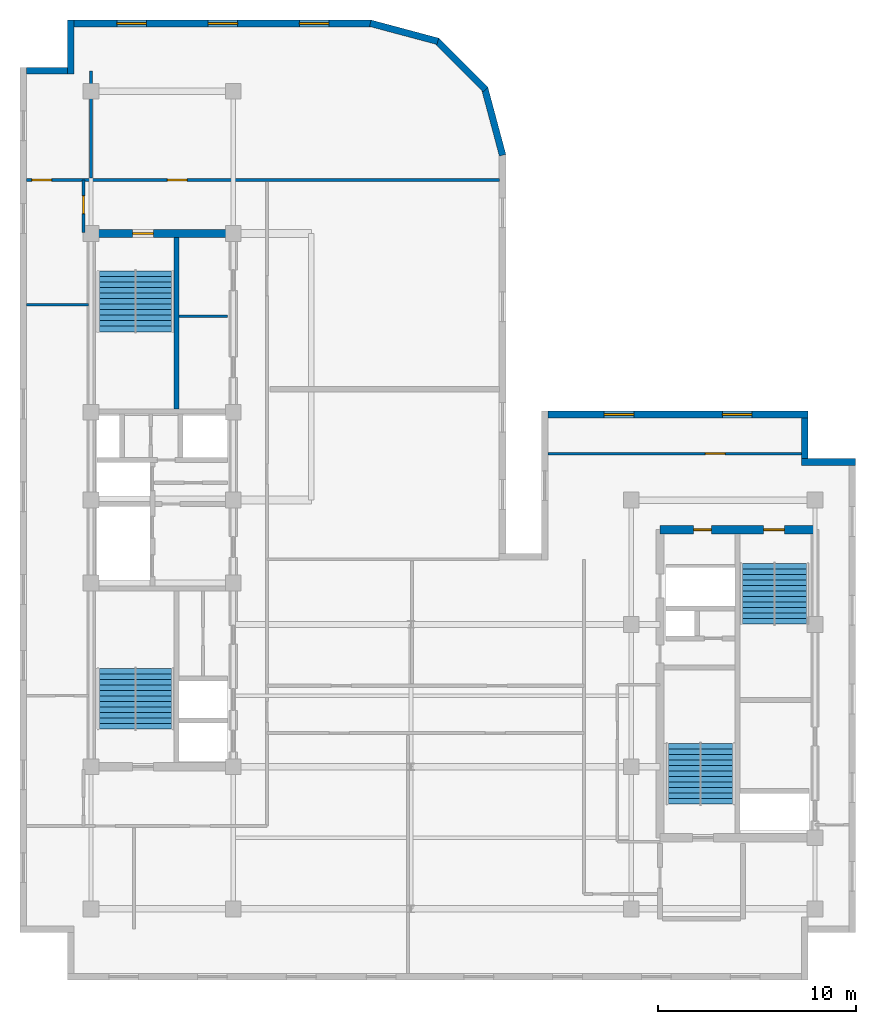
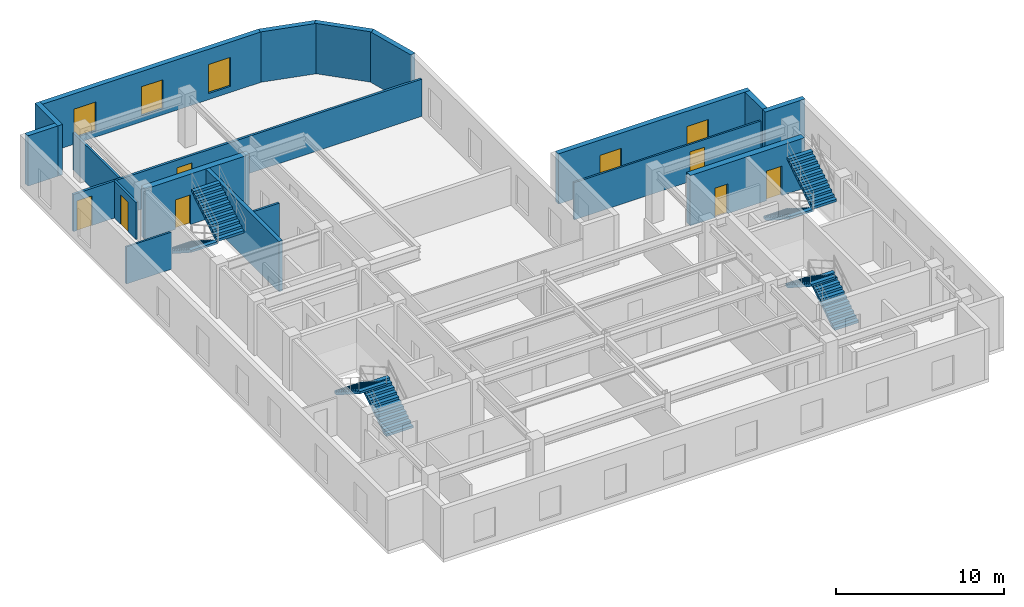
# One storey, part 6 of 9: 18 walls, 8 stair flights, 7 doors, 5 windows, 12 openings, 4 elements without a shape of their own.
"""IFC4 building model written with IfcOpenShell, lengths in metres."""

from ifc_helpers import new_model, entity, si_unit, converted_unit, direction, frame, origin_with_axes, origin_2d_with_axis, place, context, subcontext, project, spatial, polyline, rectangle, outline, extrude, material, layer, layer_set, type_object, element, fill, aggregate, save


model = new_model("IFC4")

# Units and contexts
model_context = context("Model", 3, precision=1e-05, world=origin_with_axes(), true_north=direction((0.0, 1.0)))
body_context = subcontext(model_context, "Body", "Model", "MODEL_VIEW")
ifc_project = project(units=[si_unit("LENGTHUNIT", "METRE"), si_unit("AREAUNIT", "SQUARE_METRE"), si_unit("VOLUMEUNIT", "CUBIC_METRE"), converted_unit("PLANEANGLEUNIT", "DEGREE", entity("IfcPlaneAngleMeasure", 0.017453292519943295), si_unit("PLANEANGLEUNIT", "RADIAN"), dimensions=[0, 0, 0, 0, 0, 0, 0]), si_unit("MASSUNIT", "GRAM", prefix="KILO"), si_unit("THERMODYNAMICTEMPERATUREUNIT", "KELVIN")], contexts=[model_context])

# Site, building, storey
site_placement = place(None, origin_with_axes())
site = spatial("IfcSite", under=ifc_project, at=site_placement, CompositionType="ELEMENT")
building_placement = place(site_placement, origin_with_axes())
building = spatial("IfcBuilding", under=site, at=building_placement, Name="Varnlund Millrace Tower", CompositionType="ELEMENT")
storey_placement = place(building_placement, frame((0.0, 0.0, 252.9), z_axis=(0.0, 0.0, 1.0), x_axis=(1.0, 0.0, 0.0)))
storey = spatial("IfcBuildingStorey", under=building, at=storey_placement, Name="L62", CompositionType="ELEMENT", Elevation=252.9)

# Wall, opening, door
ifc_material_1 = material(Name="Concrete C60/75", Category="concrete")
ifc_layer_1 = layer(ifc_material_1, 0.42, Name="Concrete C60/75")
ifc_layer_set_1 = layer_set([ifc_layer_1], Name="Concrete C60/75")
wall_type_1 = type_object("IfcWallType", Name="Type-CoreWall-Shear-420-C60", PredefinedType="SHEAR", material=ifc_layer_set_1)
wall_1_placement = place(storey_placement, frame((11.4, 37.8, 0.0), z_axis=(0.0, 0.0, 1.0), x_axis=(1.0, 0.0, 0.0)))
wall_1 = element("IfcWall", 1, at=wall_1_placement, inside=storey, type_object=wall_type_1, Name="Type-CoreWall-Shear-420-C60", PredefinedType="SHEAR", context=body_context, shape_type="SweptSolid", body=[
    extrude(outline(polyline([(0.0, -0.21), (7.2, -0.21), (7.2, 0.21), (0.0, 0.21), (0.0, -0.21)])), origin_with_axes(), (0.0, 0.0, 1.0), 3.66),
])
opening_1_placement = place(wall_1_placement, frame((2.625, 0.0, 0.0), z_axis=(0.0, 0.0, 1.0), x_axis=(1.0, 0.0, 0.0)))
opening_1 = element("IfcOpeningElement", 2, at=opening_1_placement, cuts=wall_1, Name="Opening L62:DR-STA2", PredefinedType="OPENING", context=body_context, shape_type="SweptSolid", body=[
    extrude(rectangle(XDim=1.05, YDim=0.44, at=origin_2d_with_axis()), origin_with_axes(), (0.0, 0.0, 1.0), 2.15),
])
ifc_material_2 = material(Name="Fire-rated hollow steel door", Category="steel")
door_type_1 = type_object("IfcDoorType", Name="Type-FireDoor-Stair-1050X2150", OperationType="NOTDEFINED", PredefinedType="DOOR", material=ifc_material_2)
door_1_placement = place(wall_1_placement, frame((2.625, 0.0, 0.0), z_axis=(0.0, 0.0, 1.0), x_axis=(1.0, 0.0, 0.0)))
door_1 = element("IfcDoor", 3, at=door_1_placement, inside=storey, type_object=door_type_1, Name="Type-FireDoor-Stair-1050X2150", OperationType="SINGLE_SWING_RIGHT", OverallHeight=2.15, OverallWidth=1.05, PredefinedType="DOOR", context=body_context, shape_type="SweptSolid", body=[
    extrude(rectangle(XDim=1.05, YDim=0.09, at=origin_2d_with_axis()), origin_with_axes(), (0.0, 0.0, 1.0), 2.15),
])
fill(opening_1, door_1)

# Wall, openings, doors
wall_2_placement = place(storey_placement, frame((40.2, 22.8, 0.0), z_axis=(0.0, 0.0, 1.0), x_axis=(1.0, 0.0, 0.0)))
wall_2 = element("IfcWall", 4, at=wall_2_placement, inside=storey, type_object=wall_type_1, Name="Type-CoreWall-Shear-420-C60", PredefinedType="SHEAR", context=body_context, shape_type="SweptSolid", body=[
    extrude(outline(polyline([(0.0, -0.21), (7.85, -0.21), (7.85, 0.21), (0.0, 0.21), (0.0, -0.21)])), origin_with_axes(), (0.0, 0.0, 1.0), 3.66),
])
opening_2_placement = place(wall_2_placement, frame((5.775, 0.0, 0.0), z_axis=(0.0, 0.0, 1.0), x_axis=(1.0, 0.0, 0.0)))
opening_2 = element("IfcOpeningElement", 5, at=opening_2_placement, cuts=wall_2, Name="Opening L62:DR-STB2", PredefinedType="OPENING", context=body_context, shape_type="SweptSolid", body=[
    extrude(rectangle(XDim=1.05, YDim=0.44, at=origin_2d_with_axis()), origin_with_axes(), (0.0, 0.0, 1.0), 2.15),
])
opening_3_placement = place(wall_2_placement, frame((2.15, 0.0, 0.0), z_axis=(0.0, 0.0, 1.0), x_axis=(1.0, 0.0, 0.0)))
opening_3 = element("IfcOpeningElement", 6, at=opening_3_placement, cuts=wall_2, Name="Opening L62:DR-CB-NW", PredefinedType="OPENING", context=body_context, shape_type="SweptSolid", body=[
    extrude(rectangle(XDim=0.9, YDim=0.44, at=origin_2d_with_axis()), origin_with_axes(), (0.0, 0.0, 1.0), 2.15),
])
ifc_material_3 = material(Name="Fire-rated hollow steel service closet door", Category="steel")
door_type_2 = type_object("IfcDoorType", Name="Type-FireDoor-Closet-900X2150", OperationType="NOTDEFINED", PredefinedType="DOOR", material=ifc_material_3)
door_2_placement = place(wall_2_placement, frame((2.15, 0.0, 0.0), z_axis=(0.0, 0.0, 1.0), x_axis=(1.0, 0.0, 0.0)))
door_2 = element("IfcDoor", 7, at=door_2_placement, inside=storey, type_object=door_type_2, Name="Type-FireDoor-Closet-900X2150", OperationType="SINGLE_SWING_LEFT", OverallHeight=2.15, OverallWidth=0.9, PredefinedType="DOOR", context=body_context, shape_type="SweptSolid", body=[
    extrude(rectangle(XDim=0.9, YDim=0.09, at=origin_2d_with_axis()), origin_with_axes(), (0.0, 0.0, 1.0), 2.15),
])
fill(opening_3, door_2)
door_3_placement = place(wall_2_placement, frame((5.775, 0.0, 0.0), z_axis=(0.0, 0.0, 1.0), x_axis=(1.0, 0.0, 0.0)))
door_3 = element("IfcDoor", 8, at=door_3_placement, inside=storey, type_object=door_type_1, Name="Type-FireDoor-Stair-1050X2150", OperationType="SINGLE_SWING_RIGHT", OverallHeight=2.15, OverallWidth=1.05, PredefinedType="DOOR", context=body_context, shape_type="SweptSolid", body=[
    extrude(rectangle(XDim=1.05, YDim=0.09, at=origin_2d_with_axis()), origin_with_axes(), (0.0, 0.0, 1.0), 2.15),
])
fill(opening_2, door_3)

# Wall, openings, windows
ifc_material_4 = material(Name="Precast concrete C50/60", Category="concrete")
ifc_layer_2 = layer(ifc_material_4, 0.34, Name="Precast concrete C50/60")
ifc_layer_set_2 = layer_set([ifc_layer_2], Name="Precast concrete C50/60")
wall_type_2 = type_object("IfcWallType", Name="Type-ExtWall-Precast-Upper-340", PredefinedType="SOLIDWALL", material=ifc_layer_set_2)
wall_3_placement = place(storey_placement, frame((34.54, 28.63, 0.0), z_axis=(0.0, 0.0, 1.0), x_axis=(1.0, 0.0, 0.0)))
wall_3 = element("IfcWall", 9, at=wall_3_placement, inside=storey, type_object=wall_type_2, Name="Type-ExtWall-Precast-Upper-340", PredefinedType="SOLIDWALL", context=body_context, shape_type="SweptSolid", body=[
    extrude(outline(polyline([(0.0, -0.17), (13.16, -0.17), (13.16, 0.17), (0.0, 0.17), (0.0, -0.17)])), origin_with_axes(), (0.0, 0.0, 1.0), 3.66),
])
opening_4_placement = place(wall_3_placement, frame((3.59, 0.0, 0.45), z_axis=(0.0, 0.0, 1.0), x_axis=(1.0, 0.0, 0.0)))
opening_4 = element("IfcOpeningElement", 10, at=opening_4_placement, cuts=wall_3, Name="Opening L62:WN-02", PredefinedType="OPENING", context=body_context, shape_type="SweptSolid", body=[
    extrude(rectangle(XDim=1.5, YDim=0.36, at=origin_2d_with_axis()), origin_with_axes(), (0.0, 0.0, 1.0), 2.1),
])
opening_5_placement = place(wall_3_placement, frame((9.57, 0.0, 0.45), z_axis=(0.0, 0.0, 1.0), x_axis=(1.0, 0.0, 0.0)))
opening_5 = element("IfcOpeningElement", 11, at=opening_5_placement, cuts=wall_3, Name="Opening L62:WN-03", PredefinedType="OPENING", context=body_context, shape_type="SweptSolid", body=[
    extrude(rectangle(XDim=1.5, YDim=0.36, at=origin_2d_with_axis()), origin_with_axes(), (0.0, 0.0, 1.0), 2.1),
])
ifc_material_5 = material(Name="Argon low-e triple glazing in thermally broken bronze frame", Category="glass")
window_type = type_object("IfcWindowType", Name="Type-Window-Punched-1500X2100", PartitioningType="SINGLE_PANEL", PredefinedType="WINDOW", material=ifc_material_5)
window_1_placement = place(wall_3_placement, frame((3.59, 0.0, 0.45), z_axis=(0.0, 0.0, 1.0), x_axis=(1.0, 0.0, 0.0)))
window_1 = element("IfcWindow", 12, at=window_1_placement, inside=storey, type_object=window_type, Name="Type-Window-Punched-1500X2100", OverallHeight=2.1, OverallWidth=1.5, PredefinedType="WINDOW", context=body_context, shape_type="SweptSolid", body=[
    extrude(rectangle(XDim=1.5, YDim=0.09, at=origin_2d_with_axis()), origin_with_axes(), (0.0, 0.0, 1.0), 2.1),
])
fill(opening_4, window_1)
window_2_placement = place(wall_3_placement, frame((9.57, 0.0, 0.45), z_axis=(0.0, 0.0, 1.0), x_axis=(1.0, 0.0, 0.0)))
window_2 = element("IfcWindow", 13, at=window_2_placement, inside=storey, type_object=window_type, Name="Type-Window-Punched-1500X2100", OverallHeight=2.1, OverallWidth=1.5, PredefinedType="WINDOW", context=body_context, shape_type="SweptSolid", body=[
    extrude(rectangle(XDim=1.5, YDim=0.09, at=origin_2d_with_axis()), origin_with_axes(), (0.0, 0.0, 1.0), 2.1),
])
fill(opening_5, window_2)

# Walls
wall_4_placement = place(storey_placement, frame((47.53, 28.46, 0.0), z_axis=(0.0, 0.0, 1.0), x_axis=(0.0, -1.0, 0.0)))
element("IfcWall", 14, at=wall_4_placement, inside=storey, type_object=wall_type_2, Name="Type-ExtWall-Precast-Upper-340", PredefinedType="SOLIDWALL", context=body_context, shape_type="SweptSolid", body=[
    extrude(outline(polyline([(0.0, -0.17), (2.06, -0.17), (2.06, 0.17), (0.0, 0.17), (0.0, -0.17)])), origin_with_axes(), (0.0, 0.0, 1.0), 3.66),
])
wall_5_placement = place(storey_placement, frame((47.36, 26.23, 0.0), z_axis=(0.0, 0.0, 1.0), x_axis=(1.0, 0.0, 0.0)))
element("IfcWall", 15, at=wall_5_placement, inside=storey, type_object=wall_type_2, Name="Type-ExtWall-Precast-Upper-340", PredefinedType="SOLIDWALL", context=body_context, shape_type="SweptSolid", body=[
    extrude(outline(polyline([(0.0, -0.17), (2.74, -0.17), (2.74, 0.17), (0.0, 0.17), (0.0, -0.17)])), origin_with_axes(), (0.0, 0.0, 1.0), 3.66),
])
wall_6_placement = place(storey_placement, frame((8.14, 46.03, 0.0), z_axis=(0.0, 0.0, 1.0), x_axis=(1.0, 0.0, 0.0)))
element("IfcWall", 16, at=wall_6_placement, inside=storey, type_object=wall_type_2, Name="Type-ExtWall-Precast-Upper-340", PredefinedType="SOLIDWALL", context=body_context, shape_type="SweptSolid", body=[
    extrude(outline(polyline([(0.0, -0.17), (2.06, -0.17), (2.06, 0.17), (0.0, 0.17), (0.0, -0.17)])), origin_with_axes(), (0.0, 0.0, 1.0), 3.66),
])
wall_7_placement = place(storey_placement, frame((10.37, 45.86, 0.0), z_axis=(0.0, 0.0, 1.0), x_axis=(0.0, 1.0, 0.0)))
element("IfcWall", 17, at=wall_7_placement, inside=storey, type_object=wall_type_2, Name="Type-ExtWall-Precast-Upper-340", PredefinedType="SOLIDWALL", context=body_context, shape_type="SweptSolid", body=[
    extrude(outline(polyline([(0.0, -0.17), (2.74, -0.17), (2.74, 0.17), (0.0, 0.17), (0.0, -0.17)])), origin_with_axes(), (0.0, 0.0, 1.0), 3.66),
])

# Wall, openings, windows
wall_8_placement = place(storey_placement, frame((10.54, 48.43, 0.0), z_axis=(0.0, 0.0, 1.0), x_axis=(1.0, 0.0, 0.0)))
wall_8 = element("IfcWall", 18, at=wall_8_placement, inside=storey, type_object=wall_type_2, Name="Type-ExtWall-Precast-Upper-340", PredefinedType="SOLIDWALL", context=body_context, shape_type="SweptSolid", body=[
    extrude(outline(polyline([(0.0, -0.17), (15.06, -0.17), (15.06, 0.17), (0.0, 0.17), (0.0, -0.17)])), origin_with_axes(), (0.0, 0.0, 1.0), 3.66),
])
opening_6_placement = place(wall_8_placement, frame((2.91, 0.0, 0.45), z_axis=(0.0, 0.0, 1.0), x_axis=(1.0, 0.0, 0.0)))
opening_6 = element("IfcOpeningElement", 19, at=opening_6_placement, cuts=wall_8, Name="Opening L62:WN-25", PredefinedType="OPENING", context=body_context, shape_type="SweptSolid", body=[
    extrude(rectangle(XDim=1.5, YDim=0.36, at=origin_2d_with_axis()), origin_with_axes(), (0.0, 0.0, 1.0), 2.1),
])
opening_7_placement = place(wall_8_placement, frame((7.53, 0.0, 0.45), z_axis=(0.0, 0.0, 1.0), x_axis=(1.0, 0.0, 0.0)))
opening_7 = element("IfcOpeningElement", 20, at=opening_7_placement, cuts=wall_8, Name="Opening L62:WN-26", PredefinedType="OPENING", context=body_context, shape_type="SweptSolid", body=[
    extrude(rectangle(XDim=1.5, YDim=0.36, at=origin_2d_with_axis()), origin_with_axes(), (0.0, 0.0, 1.0), 2.1),
])
opening_8_placement = place(wall_8_placement, frame((12.15, 0.0, 0.45), z_axis=(0.0, 0.0, 1.0), x_axis=(1.0, 0.0, 0.0)))
opening_8 = element("IfcOpeningElement", 21, at=opening_8_placement, cuts=wall_8, Name="Opening L62:WN-27", PredefinedType="OPENING", context=body_context, shape_type="SweptSolid", body=[
    extrude(rectangle(XDim=1.5, YDim=0.36, at=origin_2d_with_axis()), origin_with_axes(), (0.0, 0.0, 1.0), 2.1),
])
window_3_placement = place(wall_8_placement, frame((2.91, 0.0, 0.45), z_axis=(0.0, 0.0, 1.0), x_axis=(1.0, 0.0, 0.0)))
window_3 = element("IfcWindow", 22, at=window_3_placement, inside=storey, type_object=window_type, Name="Type-Window-Punched-1500X2100", OverallHeight=2.1, OverallWidth=1.5, PredefinedType="WINDOW", context=body_context, shape_type="SweptSolid", body=[
    extrude(rectangle(XDim=1.5, YDim=0.09, at=origin_2d_with_axis()), origin_with_axes(), (0.0, 0.0, 1.0), 2.1),
])
fill(opening_6, window_3)
window_4_placement = place(wall_8_placement, frame((7.53, 0.0, 0.45), z_axis=(0.0, 0.0, 1.0), x_axis=(1.0, 0.0, 0.0)))
window_4 = element("IfcWindow", 23, at=window_4_placement, inside=storey, type_object=window_type, Name="Type-Window-Punched-1500X2100", OverallHeight=2.1, OverallWidth=1.5, PredefinedType="WINDOW", context=body_context, shape_type="SweptSolid", body=[
    extrude(rectangle(XDim=1.5, YDim=0.09, at=origin_2d_with_axis()), origin_with_axes(), (0.0, 0.0, 1.0), 2.1),
])
fill(opening_7, window_4)
window_5_placement = place(wall_8_placement, frame((12.15, 0.0, 0.45), z_axis=(0.0, 0.0, 1.0), x_axis=(1.0, 0.0, 0.0)))
window_5 = element("IfcWindow", 24, at=window_5_placement, inside=storey, type_object=window_type, Name="Type-Window-Punched-1500X2100", OverallHeight=2.1, OverallWidth=1.5, PredefinedType="WINDOW", context=body_context, shape_type="SweptSolid", body=[
    extrude(rectangle(XDim=1.5, YDim=0.09, at=origin_2d_with_axis()), origin_with_axes(), (0.0, 0.0, 1.0), 2.1),
])
fill(opening_8, window_5)

# Walls
wall_9_placement = place(storey_placement, frame((25.537, 48.441, 0.0), z_axis=(0.0, 0.0, 1.0), x_axis=(0.965934, -0.258788, 0.0)))
element("IfcWall", 25, at=wall_9_placement, inside=storey, type_object=wall_type_2, Name="Type-ExtWall-Precast-Upper-340", PredefinedType="SOLIDWALL", context=body_context, shape_type="SweptSolid", body=[
    extrude(outline(polyline([(0.0, -0.17), (3.539579, -0.17), (3.539579, 0.17), (0.0, 0.17), (0.0, -0.17)])), origin_with_axes(), (0.0, 0.0, 1.0), 3.66),
])
wall_10_placement = place(storey_placement, frame((28.866, 47.583, 0.0), z_axis=(0.0, 0.0, 1.0), x_axis=(0.707107, -0.707107, 0.0)))
element("IfcWall", 26, at=wall_10_placement, inside=storey, type_object=wall_type_2, Name="Type-ExtWall-Precast-Upper-340", PredefinedType="SOLIDWALL", context=body_context, shape_type="SweptSolid", body=[
    extrude(outline(polyline([(0.0, -0.17), (3.539777, -0.17), (3.539777, 0.17), (0.0, 0.17), (0.0, -0.17)])), origin_with_axes(), (0.0, 0.0, 1.0), 3.66),
])
wall_11_placement = place(storey_placement, frame((31.32, 45.175, 0.0), z_axis=(0.0, 0.0, 1.0), x_axis=(0.258788, -0.965934, 0.0)))
element("IfcWall", 27, at=wall_11_placement, inside=storey, type_object=wall_type_2, Name="Type-ExtWall-Precast-Upper-340", PredefinedType="SOLIDWALL", context=body_context, shape_type="SweptSolid", body=[
    extrude(outline(polyline([(0.0, -0.17), (3.539579, -0.17), (3.539579, 0.17), (0.0, 0.17), (0.0, -0.17)])), origin_with_axes(), (0.0, 0.0, 1.0), 3.66),
])

# Wall, openings, doors
ifc_material_6 = material(Name="Fire-rated gypsum board on cold-formed steel framing", Category="steel")
ifc_layer_3 = layer(ifc_material_6, 0.16, Name="Fire-rated gypsum board on cold-formed steel framing")
ifc_layer_set_3 = layer_set([ifc_layer_3], Name="Fire-rated gypsum board on cold-formed steel framing")
wall_type_3 = type_object("IfcWallType", Name="Type-Partition-Corridor-160", PredefinedType="PARTITIONING", material=ifc_layer_set_3)
wall_12_placement = place(storey_placement, frame((8.135, 40.5, 0.0), z_axis=(0.0, 0.0, 1.0), x_axis=(1.0, 0.0, 0.0)))
wall_12 = element("IfcWall", 28, at=wall_12_placement, inside=storey, type_object=wall_type_3, Name="Type-Partition-Corridor-160", PredefinedType="PARTITIONING", context=body_context, shape_type="SweptSolid", body=[
    extrude(outline(polyline([(0.0, -0.08), (23.93, -0.08), (23.93, 0.08), (0.0, 0.08), (0.0, -0.08)])), origin_with_axes(), (0.0, 0.0, 1.0), 2.7),
])
opening_9_placement = place(wall_12_placement, frame((0.76, 0.0, 0.0), z_axis=(0.0, 0.0, 1.0), x_axis=(1.0, 0.0, 0.0)))
opening_9 = element("IfcOpeningElement", 29, at=opening_9_placement, cuts=wall_12, Name="Opening L62:DR-WAN-01", PredefinedType="OPENING", context=body_context, shape_type="SweptSolid", body=[
    extrude(rectangle(XDim=1.0, YDim=0.18, at=origin_2d_with_axis()), origin_with_axes(), (0.0, 0.0, 1.0), 2.15),
])
opening_10_placement = place(wall_12_placement, frame((7.625, 0.0, 0.0), z_axis=(0.0, 0.0, 1.0), x_axis=(1.0, 0.0, 0.0)))
opening_10 = element("IfcOpeningElement", 30, at=opening_10_placement, cuts=wall_12, Name="Opening L62:DR-WAN-02", PredefinedType="OPENING", context=body_context, shape_type="SweptSolid", body=[
    extrude(rectangle(XDim=1.0, YDim=0.18, at=origin_2d_with_axis()), origin_with_axes(), (0.0, 0.0, 1.0), 2.15),
])
ifc_material_7 = material(Name="Solid-core white oak and bronze frame door")
door_type_3 = type_object("IfcDoorType", Name="Type-IntDoor-Office-1000X2150", OperationType="NOTDEFINED", PredefinedType="DOOR", material=ifc_material_7)
door_4_placement = place(wall_12_placement, frame((0.76, 0.0, 0.0), z_axis=(0.0, 0.0, 1.0), x_axis=(1.0, 0.0, 0.0)))
door_4 = element("IfcDoor", 31, at=door_4_placement, inside=storey, type_object=door_type_3, Name="Type-IntDoor-Office-1000X2150", OperationType="SINGLE_SWING_LEFT", OverallHeight=2.15, OverallWidth=1.0, PredefinedType="DOOR", context=body_context, shape_type="SweptSolid", body=[
    extrude(rectangle(XDim=1.0, YDim=0.09, at=origin_2d_with_axis()), origin_with_axes(), (0.0, 0.0, 1.0), 2.15),
])
fill(opening_9, door_4)
door_5_placement = place(wall_12_placement, frame((7.625, 0.0, 0.0), z_axis=(0.0, 0.0, 1.0), x_axis=(1.0, 0.0, 0.0)))
door_5 = element("IfcDoor", 32, at=door_5_placement, inside=storey, type_object=door_type_3, Name="Type-IntDoor-Office-1000X2150", OperationType="SINGLE_SWING_RIGHT", OverallHeight=2.15, OverallWidth=1.0, PredefinedType="DOOR", context=body_context, shape_type="SweptSolid", body=[
    extrude(rectangle(XDim=1.0, YDim=0.09, at=origin_2d_with_axis()), origin_with_axes(), (0.0, 0.0, 1.0), 2.15),
])
fill(opening_10, door_5)

# Wall, opening, door
wall_13_placement = place(storey_placement, frame((11.02, 37.85, 0.0), z_axis=(0.0, 0.0, 1.0), x_axis=(0.0, 1.0, 0.0)))
wall_13 = element("IfcWall", 33, at=wall_13_placement, inside=storey, type_object=wall_type_3, Name="Type-Partition-Corridor-160", PredefinedType="PARTITIONING", context=body_context, shape_type="SweptSolid", body=[
    extrude(outline(polyline([(0.0, -0.08), (2.65, -0.08), (2.65, 0.08), (0.0, 0.08), (0.0, -0.08)])), origin_with_axes(), (0.0, 0.0, 1.0), 2.7),
])
opening_11_placement = place(wall_13_placement, frame((1.4, 0.0, 0.0), z_axis=(0.0, 0.0, 1.0), x_axis=(1.0, 0.0, 0.0)))
opening_11 = element("IfcOpeningElement", 34, at=opening_11_placement, cuts=wall_13, Name="Opening L62:DR-WU-N1", PredefinedType="OPENING", context=body_context, shape_type="SweptSolid", body=[
    extrude(rectangle(XDim=0.9, YDim=0.18, at=origin_2d_with_axis()), origin_with_axes(), (0.0, 0.0, 1.0), 2.15),
])
ifc_material_8 = material(Name="Painted steel riser and closet door", Category="steel")
door_type_4 = type_object("IfcDoorType", Name="Type-IntDoor-Closet-900X2150", OperationType="NOTDEFINED", PredefinedType="DOOR", material=ifc_material_8)
door_6_placement = place(wall_13_placement, frame((1.4, 0.0, 0.0), z_axis=(0.0, 0.0, 1.0), x_axis=(1.0, 0.0, 0.0)))
door_6 = element("IfcDoor", 35, at=door_6_placement, inside=storey, type_object=door_type_4, Name="Type-IntDoor-Closet-900X2150", OperationType="SINGLE_SWING_RIGHT", OverallHeight=2.15, OverallWidth=0.9, PredefinedType="DOOR", context=body_context, shape_type="SweptSolid", body=[
    extrude(rectangle(XDim=0.9, YDim=0.09, at=origin_2d_with_axis()), origin_with_axes(), (0.0, 0.0, 1.0), 2.15),
])
fill(opening_11, door_6)

# Walls
ifc_material_9 = material(Name="Acoustic STC-50 gypsum board partition", Category="gypsum")
ifc_layer_4 = layer(ifc_material_9, 0.15, Name="Acoustic STC-50 gypsum board partition")
ifc_layer_set_4 = layer_set([ifc_layer_4], Name="Acoustic STC-50 gypsum board partition")
wall_type_4 = type_object("IfcWallType", Name="Type-Partition-Demising-150", PredefinedType="PARTITIONING", material=ifc_layer_set_4)
wall_14_placement = place(storey_placement, frame((11.4, 40.6, 0.0), z_axis=(0.0, 0.0, 1.0), x_axis=(0.0, 1.0, 0.0)))
element("IfcWall", 36, at=wall_14_placement, inside=storey, type_object=wall_type_4, Name="Type-Partition-Demising-150", PredefinedType="PARTITIONING", context=body_context, shape_type="SweptSolid", body=[
    extrude(outline(polyline([(0.0, -0.075), (5.42, -0.075), (5.42, 0.075), (0.0, 0.075), (0.0, -0.075)])), origin_with_axes(), (0.0, 0.0, 1.0), 2.7),
])
ifc_material_10 = material(Name="Gypsum board tenant partition", Category="gypsum")
ifc_layer_5 = layer(ifc_material_10, 0.125, Name="Gypsum board tenant partition")
ifc_layer_set_5 = layer_set([ifc_layer_5], Name="Gypsum board tenant partition")
wall_type_5 = type_object("IfcWallType", Name="Type-Partition-Tenant-125", PredefinedType="PARTITIONING", material=ifc_layer_set_5)
wall_15_placement = place(storey_placement, frame((8.135, 34.2, 0.0), z_axis=(0.0, 0.0, 1.0), x_axis=(1.0, 0.0, 0.0)))
element("IfcWall", 37, at=wall_15_placement, inside=storey, type_object=wall_type_5, Name="Type-Partition-Tenant-125", PredefinedType="PARTITIONING", context=body_context, shape_type="SweptSolid", body=[
    extrude(outline(polyline([(0.0, -0.0625), (3.135, -0.0625), (3.135, 0.0625), (0.0, 0.0625), (0.0, -0.0625)])), origin_with_axes(), (0.0, 0.0, 1.0), 2.7),
])

# Wall, opening, door
wall_16_placement = place(storey_placement, frame((34.535, 26.65, 0.0), z_axis=(0.0, 0.0, 1.0), x_axis=(1.0, 0.0, 0.0)))
wall_16 = element("IfcWall", 38, at=wall_16_placement, inside=storey, type_object=wall_type_5, Name="Type-Partition-Tenant-125", PredefinedType="PARTITIONING", context=body_context, shape_type="SweptSolid", body=[
    extrude(outline(polyline([(0.0, -0.0625), (12.995, -0.0625), (12.995, 0.0625), (0.0, 0.0625), (0.0, -0.0625)])), origin_with_axes(), (0.0, 0.0, 1.0), 2.7),
])
opening_12_placement = place(wall_16_placement, frame((8.465, 0.0, 0.0), z_axis=(0.0, 0.0, 1.0), x_axis=(1.0, 0.0, 0.0)))
opening_12 = element("IfcOpeningElement", 39, at=opening_12_placement, cuts=wall_16, Name="Opening L62:DR-WBN-01", PredefinedType="OPENING", context=body_context, shape_type="SweptSolid", body=[
    extrude(rectangle(XDim=1.0, YDim=0.145, at=origin_2d_with_axis()), origin_with_axes(), (0.0, 0.0, 1.0), 2.15),
])
door_7_placement = place(wall_16_placement, frame((8.465, 0.0, 0.0), z_axis=(0.0, 0.0, 1.0), x_axis=(1.0, 0.0, 0.0)))
door_7 = element("IfcDoor", 40, at=door_7_placement, inside=storey, type_object=door_type_3, Name="Type-IntDoor-Office-1000X2150", OperationType="SINGLE_SWING_RIGHT", OverallHeight=2.15, OverallWidth=1.0, PredefinedType="DOOR", context=body_context, shape_type="SweptSolid", body=[
    extrude(rectangle(XDim=1.0, YDim=0.075, at=origin_2d_with_axis()), origin_with_axes(), (0.0, 0.0, 1.0), 2.15),
])
fill(opening_12, door_7)

# Walls
ifc_material_11 = material(Name="Moisture-resistant gypsum restroom partition", Category="gypsum")
ifc_layer_6 = layer(ifc_material_11, 0.14, Name="Moisture-resistant gypsum restroom partition")
ifc_layer_set_6 = layer_set([ifc_layer_6], Name="Moisture-resistant gypsum restroom partition")
wall_type_6 = type_object("IfcWallType", Name="Type-Partition-Wet-140", PredefinedType="PARTITIONING", material=ifc_layer_set_6)
wall_17_placement = place(storey_placement, frame((15.84, 33.6, 0.0), z_axis=(0.0, 0.0, 1.0), x_axis=(1.0, 0.0, 0.0)))
element("IfcWall", 41, at=wall_17_placement, inside=storey, type_object=wall_type_6, Name="Type-Partition-Wet-140", PredefinedType="PARTITIONING", context=body_context, shape_type="SweptSolid", body=[
    extrude(outline(polyline([(0.0, -0.07), (2.46, -0.07), (2.46, 0.07), (0.0, 0.07), (0.0, -0.07)])), origin_with_axes(), (0.0, 0.0, 1.0), 2.7),
])
ifc_layer_7 = layer(ifc_material_1, 0.25, Name="Concrete C60/75")
ifc_layer_set_7 = layer_set([ifc_layer_7], Name="Concrete C60/75")
wall_type_7 = type_object("IfcWallType", Name="Type-StairWall-Shear-250", PredefinedType="SHEAR", material=ifc_layer_set_7)
wall_18_placement = place(storey_placement, frame((15.725, 28.9, 0.0), z_axis=(0.0, 0.0, 1.0), x_axis=(0.0, 1.0, 0.0)))
element("IfcWall", 42, at=wall_18_placement, inside=storey, type_object=wall_type_7, Name="Type-StairWall-Shear-250", PredefinedType="SHEAR", context=body_context, shape_type="SweptSolid", body=[
    extrude(outline(polyline([(0.0, -0.125), (8.69, -0.125), (8.69, 0.125), (0.0, 0.125), (0.0, -0.125)])), origin_with_axes(), (0.0, 0.0, 1.0), 3.66),
])

# Stair, stair flights
ifc_material_12 = material(Name="Concrete C50/60", Category="concrete")
stair_type_1 = type_object("IfcStairType", Name="Type-Stair-Dogleg-165-390", PredefinedType="HALF_TURN_STAIR", material=ifc_material_12)
stair_1_placement = place(storey_placement, origin_with_axes())
stair_1 = element("IfcStair", 43, at=stair_1_placement, inside=storey, type_object=stair_type_1, Name="Type-Stair-Dogleg-165-390", PredefinedType="HALF_TURN_STAIR")
stair_flight_type_1 = type_object("IfcStairFlightType", Name="Type-Dogleg-Run-165-390", PredefinedType="STRAIGHT", material=ifc_material_4)
stair_flight_1_placement = place(storey_placement, frame((42.225, 8.9, 0.0), z_axis=(1.0, 0.0, 0.0), x_axis=(0.0, 1.0, 0.0)))
stair_flight_1 = element("IfcStairFlight", 44, at=stair_flight_1_placement, type_object=stair_flight_type_1, Name="ST-B1 flight 1", NumberOfRisers=11, NumberOfTreads=11, PredefinedType="STRAIGHT", RiserHeight=0.177273, TreadLength=0.28, context=body_context, shape_type="SweptSolid", body=[
    extrude(outline(polyline([(0.0, 0.0), (0.0, 0.177273), (0.28, 0.177273), (0.28, 0.354545), (0.56, 0.354545), (0.56, 0.531818), (0.84, 0.531818), (0.84, 0.709091), (1.12, 0.709091), (1.12, 0.886364), (1.4, 0.886364), (1.4, 1.063636), (1.68, 1.063636), (1.68, 1.240909), (1.96, 1.240909), (1.96, 1.418182), (2.24, 1.418182), (2.24, 1.595454), (2.52, 1.595454), (2.52, 1.772727), (2.8, 1.772727), (2.8, 1.95), (3.08, 1.95), (3.08, 1.8), (0.28, 0.0), (0.0, 0.0)])), origin_with_axes(), (0.0, 0.0, 1.0), 1.65),
])
stair_flight_2_placement = place(storey_placement, frame((42.275, 11.98, 1.95), z_axis=(-1.0, 0.0, 0.0), x_axis=(0.0, -1.0, 0.0)))
stair_flight_2 = element("IfcStairFlight", 45, at=stair_flight_2_placement, type_object=stair_flight_type_1, Name="ST-B1 flight 2", NumberOfRisers=11, NumberOfTreads=11, PredefinedType="STRAIGHT", RiserHeight=0.177273, TreadLength=0.28, context=body_context, shape_type="SweptSolid", body=[
    extrude(outline(polyline([(0.0, 0.0), (0.0, 0.177273), (0.28, 0.177273), (0.28, 0.354545), (0.56, 0.354545), (0.56, 0.531818), (0.84, 0.531818), (0.84, 0.709091), (1.12, 0.709091), (1.12, 0.886364), (1.4, 0.886364), (1.4, 1.063636), (1.68, 1.063636), (1.68, 1.240909), (1.96, 1.240909), (1.96, 1.418182), (2.24, 1.418182), (2.24, 1.595454), (2.52, 1.595454), (2.52, 1.772727), (2.8, 1.772727), (2.8, 1.95), (3.08, 1.95), (3.08, 1.8), (0.28, 0.0), (0.0, 0.0)])), origin_with_axes(), (0.0, 0.0, 1.0), 1.65),
])
aggregate(stair_1, [stair_flight_1, stair_flight_2])

stair_2_placement = place(storey_placement, origin_with_axes())
stair_2 = element("IfcStair", 46, at=stair_2_placement, inside=storey, type_object=stair_type_1, Name="Type-Stair-Dogleg-165-390", PredefinedType="HALF_TURN_STAIR")
stair_flight_3_placement = place(storey_placement, frame((46.025, 21.1, 0.0), z_axis=(-1.0, 0.0, 0.0), x_axis=(0.0, -1.0, 0.0)))
stair_flight_3 = element("IfcStairFlight", 47, at=stair_flight_3_placement, type_object=stair_flight_type_1, Name="ST-B2 flight 1", NumberOfRisers=11, NumberOfTreads=11, PredefinedType="STRAIGHT", RiserHeight=0.177273, TreadLength=0.28, context=body_context, shape_type="SweptSolid", body=[
    extrude(outline(polyline([(0.0, 0.0), (0.0, 0.177273), (0.28, 0.177273), (0.28, 0.354545), (0.56, 0.354545), (0.56, 0.531818), (0.84, 0.531818), (0.84, 0.709091), (1.12, 0.709091), (1.12, 0.886364), (1.4, 0.886364), (1.4, 1.063636), (1.68, 1.063636), (1.68, 1.240909), (1.96, 1.240909), (1.96, 1.418182), (2.24, 1.418182), (2.24, 1.595454), (2.52, 1.595454), (2.52, 1.772727), (2.8, 1.772727), (2.8, 1.95), (3.08, 1.95), (3.08, 1.8), (0.28, 0.0), (0.0, 0.0)])), origin_with_axes(), (0.0, 0.0, 1.0), 1.65),
])
stair_flight_4_placement = place(storey_placement, frame((45.975, 18.02, 1.95), z_axis=(1.0, 0.0, 0.0), x_axis=(0.0, 1.0, 0.0)))
stair_flight_4 = element("IfcStairFlight", 48, at=stair_flight_4_placement, type_object=stair_flight_type_1, Name="ST-B2 flight 2", NumberOfRisers=11, NumberOfTreads=11, PredefinedType="STRAIGHT", RiserHeight=0.177273, TreadLength=0.28, context=body_context, shape_type="SweptSolid", body=[
    extrude(outline(polyline([(0.0, 0.0), (0.0, 0.177273), (0.28, 0.177273), (0.28, 0.354545), (0.56, 0.354545), (0.56, 0.531818), (0.84, 0.531818), (0.84, 0.709091), (1.12, 0.709091), (1.12, 0.886364), (1.4, 0.886364), (1.4, 1.063636), (1.68, 1.063636), (1.68, 1.240909), (1.96, 1.240909), (1.96, 1.418182), (2.24, 1.418182), (2.24, 1.595454), (2.52, 1.595454), (2.52, 1.772727), (2.8, 1.772727), (2.8, 1.95), (3.08, 1.95), (3.08, 1.8), (0.28, 0.0), (0.0, 0.0)])), origin_with_axes(), (0.0, 0.0, 1.0), 1.65),
])
aggregate(stair_2, [stair_flight_3, stair_flight_4])

stair_type_2 = type_object("IfcStairType", Name="Type-Stair-Dogleg-185-390", PredefinedType="HALF_TURN_STAIR", material=ifc_material_12)
stair_3_placement = place(storey_placement, origin_with_axes())
stair_3 = element("IfcStair", 49, at=stair_3_placement, inside=storey, type_object=stair_type_2, Name="Type-Stair-Dogleg-185-390", PredefinedType="HALF_TURN_STAIR")
stair_flight_type_2 = type_object("IfcStairFlightType", Name="Type-Dogleg-Run-185-390", PredefinedType="STRAIGHT", material=ifc_material_4)
stair_flight_5_placement = place(storey_placement, frame((13.625, 12.7, 0.0), z_axis=(1.0, 0.0, 0.0), x_axis=(0.0, 1.0, 0.0)))
stair_flight_5 = element("IfcStairFlight", 50, at=stair_flight_5_placement, type_object=stair_flight_type_2, Name="ST-A1 flight 1", NumberOfRisers=11, NumberOfTreads=11, PredefinedType="STRAIGHT", RiserHeight=0.177273, TreadLength=0.28, context=body_context, shape_type="SweptSolid", body=[
    extrude(outline(polyline([(0.0, 0.0), (0.0, 0.177273), (0.28, 0.177273), (0.28, 0.354545), (0.56, 0.354545), (0.56, 0.531818), (0.84, 0.531818), (0.84, 0.709091), (1.12, 0.709091), (1.12, 0.886364), (1.4, 0.886364), (1.4, 1.063636), (1.68, 1.063636), (1.68, 1.240909), (1.96, 1.240909), (1.96, 1.418182), (2.24, 1.418182), (2.24, 1.595454), (2.52, 1.595454), (2.52, 1.772727), (2.8, 1.772727), (2.8, 1.95), (3.08, 1.95), (3.08, 1.8), (0.28, 0.0), (0.0, 0.0)])), origin_with_axes(), (0.0, 0.0, 1.0), 1.85),
])
stair_flight_6_placement = place(storey_placement, frame((13.675, 15.78, 1.95), z_axis=(-1.0, 0.0, 0.0), x_axis=(0.0, -1.0, 0.0)))
stair_flight_6 = element("IfcStairFlight", 51, at=stair_flight_6_placement, type_object=stair_flight_type_2, Name="ST-A1 flight 2", NumberOfRisers=11, NumberOfTreads=11, PredefinedType="STRAIGHT", RiserHeight=0.177273, TreadLength=0.28, context=body_context, shape_type="SweptSolid", body=[
    extrude(outline(polyline([(0.0, 0.0), (0.0, 0.177273), (0.28, 0.177273), (0.28, 0.354545), (0.56, 0.354545), (0.56, 0.531818), (0.84, 0.531818), (0.84, 0.709091), (1.12, 0.709091), (1.12, 0.886364), (1.4, 0.886364), (1.4, 1.063636), (1.68, 1.063636), (1.68, 1.240909), (1.96, 1.240909), (1.96, 1.418182), (2.24, 1.418182), (2.24, 1.595454), (2.52, 1.595454), (2.52, 1.772727), (2.8, 1.772727), (2.8, 1.95), (3.08, 1.95), (3.08, 1.8), (0.28, 0.0), (0.0, 0.0)])), origin_with_axes(), (0.0, 0.0, 1.0), 1.85),
])
aggregate(stair_3, [stair_flight_5, stair_flight_6])

stair_4_placement = place(storey_placement, origin_with_axes())
stair_4 = element("IfcStair", 52, at=stair_4_placement, inside=storey, type_object=stair_type_2, Name="Type-Stair-Dogleg-185-390", PredefinedType="HALF_TURN_STAIR")
stair_flight_7_placement = place(storey_placement, frame((13.675, 35.9, 0.0), z_axis=(-1.0, 0.0, 0.0), x_axis=(0.0, -1.0, 0.0)))
stair_flight_7 = element("IfcStairFlight", 53, at=stair_flight_7_placement, type_object=stair_flight_type_2, Name="ST-A2 flight 1", NumberOfRisers=11, NumberOfTreads=11, PredefinedType="STRAIGHT", RiserHeight=0.177273, TreadLength=0.28, context=body_context, shape_type="SweptSolid", body=[
    extrude(outline(polyline([(0.0, 0.0), (0.0, 0.177273), (0.28, 0.177273), (0.28, 0.354545), (0.56, 0.354545), (0.56, 0.531818), (0.84, 0.531818), (0.84, 0.709091), (1.12, 0.709091), (1.12, 0.886364), (1.4, 0.886364), (1.4, 1.063636), (1.68, 1.063636), (1.68, 1.240909), (1.96, 1.240909), (1.96, 1.418182), (2.24, 1.418182), (2.24, 1.595454), (2.52, 1.595454), (2.52, 1.772727), (2.8, 1.772727), (2.8, 1.95), (3.08, 1.95), (3.08, 1.8), (0.28, 0.0), (0.0, 0.0)])), origin_with_axes(), (0.0, 0.0, 1.0), 1.85),
])
stair_flight_8_placement = place(storey_placement, frame((13.625, 32.82, 1.95), z_axis=(1.0, 0.0, 0.0), x_axis=(0.0, 1.0, 0.0)))
stair_flight_8 = element("IfcStairFlight", 54, at=stair_flight_8_placement, type_object=stair_flight_type_2, Name="ST-A2 flight 2", NumberOfRisers=11, NumberOfTreads=11, PredefinedType="STRAIGHT", RiserHeight=0.177273, TreadLength=0.28, context=body_context, shape_type="SweptSolid", body=[
    extrude(outline(polyline([(0.0, 0.0), (0.0, 0.177273), (0.28, 0.177273), (0.28, 0.354545), (0.56, 0.354545), (0.56, 0.531818), (0.84, 0.531818), (0.84, 0.709091), (1.12, 0.709091), (1.12, 0.886364), (1.4, 0.886364), (1.4, 1.063636), (1.68, 1.063636), (1.68, 1.240909), (1.96, 1.240909), (1.96, 1.418182), (2.24, 1.418182), (2.24, 1.595454), (2.52, 1.595454), (2.52, 1.772727), (2.8, 1.772727), (2.8, 1.95), (3.08, 1.95), (3.08, 1.8), (0.28, 0.0), (0.0, 0.0)])), origin_with_axes(), (0.0, 0.0, 1.0), 1.85),
])
aggregate(stair_4, [stair_flight_7, stair_flight_8])

save(model, "model.ifc")
